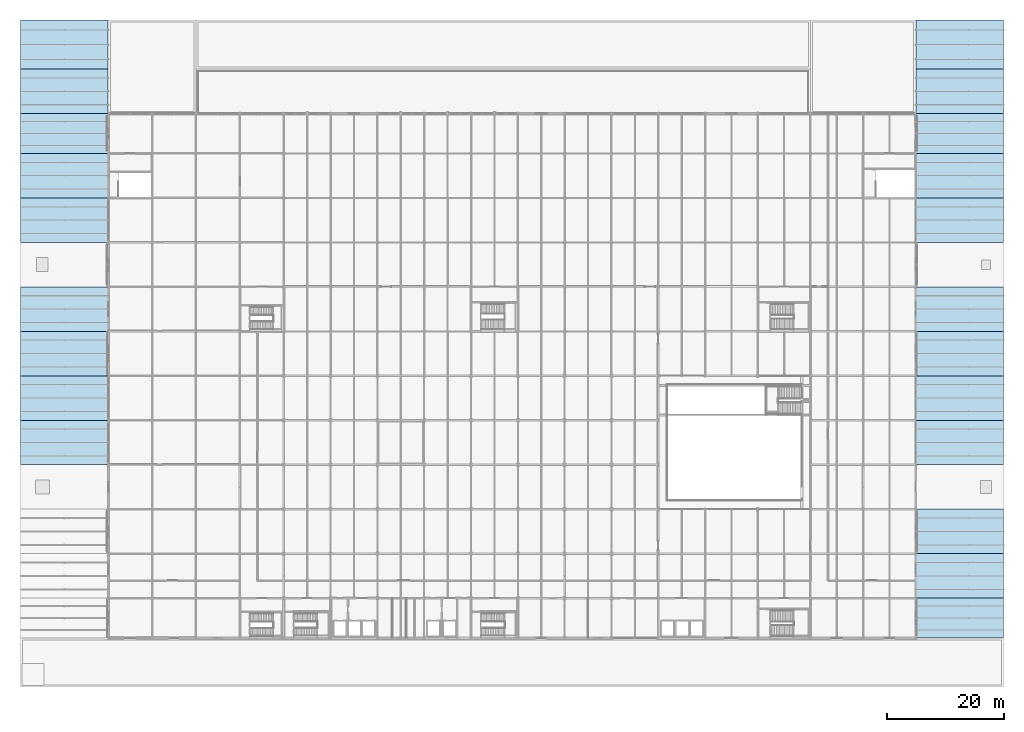
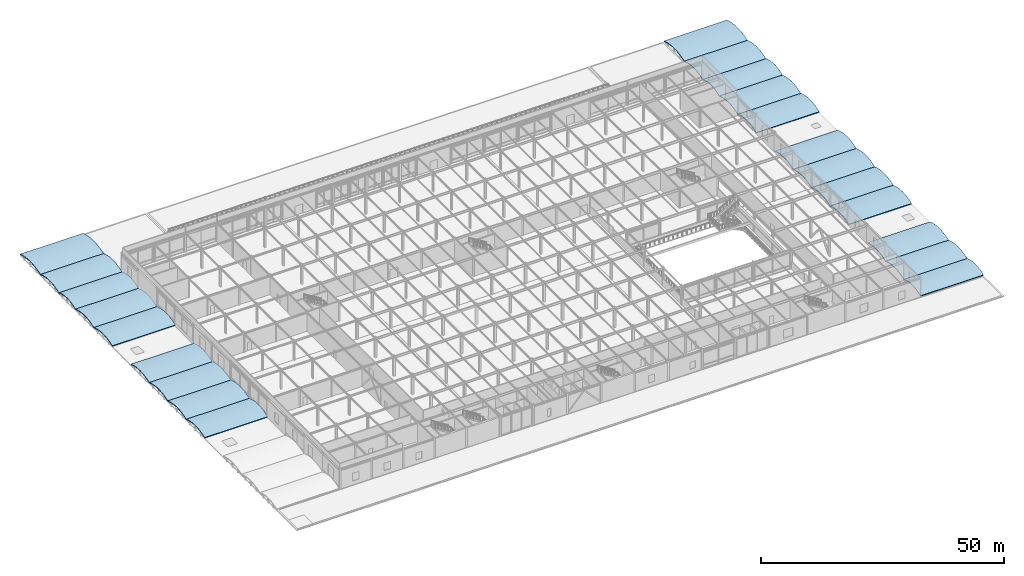
# One storey, part 105 of 113: 21 roofs.
"""IFC4 building model written with IfcOpenShell, lengths in metres."""

from ifc_helpers import new_model, si_unit, direction, frame, origin, place, context, subcontext, project, spatial, polyline, outline, extrude, material, layer, layer_set, type_object, element, save


model = new_model("IFC4")

# Units and contexts
model_context = context("Model", 3, precision=1e-05, world=origin(), true_north=direction((0.0, 1.0)))
body_context = subcontext(model_context, "Body", "Model", "MODEL_VIEW")
ifc_project = project(units=[si_unit("LENGTHUNIT", "METRE"), si_unit("AREAUNIT", "SQUARE_METRE"), si_unit("VOLUMEUNIT", "CUBIC_METRE"), si_unit("PLANEANGLEUNIT", "RADIAN"), si_unit("MASSUNIT", "GRAM", prefix="KILO")], contexts=[model_context])

# Site, building, storey
site_placement = place(None, origin())
site = spatial("IfcSite", under=ifc_project, at=site_placement, CompositionType="ELEMENT")
building_placement = place(site_placement, origin())
building = spatial("IfcBuilding", under=site, at=building_placement, Name="Shalkamar Park Central Library", CompositionType="ELEMENT")
storey_placement = place(building_placement, frame((0.0, 0.0, 5.39990234375)))
storey = spatial("IfcBuildingStorey", under=building, at=storey_placement, Name="L02", CompositionType="ELEMENT", Elevation=5.39990234375)

# Roofs
ifc_material = material(Name="Concrete C35/45", Category="concrete")
ifc_layer = layer(ifc_material, 0.179931640625)
ifc_layer_set = layer_set([ifc_layer], Name="Concrete C35/45")
roof_type = type_object("IfcRoofType", Name="Polychrome Barrel Vault Roof", PredefinedType="BARREL_ROOF", material=ifc_layer_set)
roof_1_placement = place(storey_placement, frame((120.0, 281.800048828125, 0.0), z_axis=(0.0, 0.0, 1.0), x_axis=(1.0, 0.0, 0.0)))
element("IfcRoof", 1, at=roof_1_placement, inside=storey, type_object=roof_type, Name="Barrel Vault Clerestory Roof BV-L01-W4", PredefinedType="BARREL_ROOF", context=body_context, shape_type="SweptSolid", body=[
    extrude(outline(polyline([(-3.800048828125, 0.179931640625), (-3.324951171875, 0.3486328125), (-2.85009765625, 0.494873046875), (-2.375, 0.61865234375), (-1.89990234375, 0.719970703125), (-1.425048828125, 0.798583984375), (-0.949951171875, 0.85498046875), (-0.47509765625, 0.888671875), (0.0, 0.89990234375), (0.47509765625, 0.888671875), (0.949951171875, 0.85498046875), (1.425048828125, 0.798583984375), (1.89990234375, 0.719970703125), (2.375, 0.61865234375), (2.85009765625, 0.494873046875), (3.324951171875, 0.3486328125), (3.800048828125, 0.179931640625), (3.800048828125, 0.0), (3.324951171875, 0.168701171875), (2.85009765625, 0.31494140625), (2.375, 0.438720703125), (1.89990234375, 0.5400390625), (1.425048828125, 0.61865234375), (0.949951171875, 0.675048828125), (0.47509765625, 0.708740234375), (0.0, 0.719970703125), (-0.47509765625, 0.708740234375), (-0.949951171875, 0.675048828125), (-1.425048828125, 0.61865234375), (-1.89990234375, 0.5400390625), (-2.375, 0.438720703125), (-2.85009765625, 0.31494140625), (-3.324951171875, 0.168701171875), (-3.800048828125, 0.0), (-3.800048828125, 0.179931640625)])), frame((0.0, 0.0, 0.0), z_axis=(1.0, 0.0, 0.0), x_axis=(0.0, 1.0, 0.0)), (0.0, 0.0, 1.0), 15.0),
])
roof_2_placement = place(storey_placement, frame((120.0, 289.39990234375, 0.0), z_axis=(0.0, 0.0, 1.0), x_axis=(1.0, 0.0, 0.0)))
element("IfcRoof", 2, at=roof_2_placement, inside=storey, type_object=roof_type, Name="Barrel Vault Clerestory Roof BV-L01-W5", PredefinedType="BARREL_ROOF", context=body_context, shape_type="SweptSolid", body=[
    extrude(outline(polyline([(-3.7998046875, 0.179931640625), (-3.324951171875, 0.3486328125), (-2.849853515625, 0.494873046875), (-2.375, 0.61865234375), (-1.89990234375, 0.719970703125), (-1.425048828125, 0.798583984375), (-0.949951171875, 0.85498046875), (-0.47509765625, 0.888671875), (0.0, 0.89990234375), (0.47509765625, 0.888671875), (0.949951171875, 0.85498046875), (1.425048828125, 0.798583984375), (1.89990234375, 0.719970703125), (2.375, 0.61865234375), (2.849853515625, 0.494873046875), (3.324951171875, 0.3486328125), (3.7998046875, 0.179931640625), (3.7998046875, 0.0), (3.324951171875, 0.168701171875), (2.849853515625, 0.31494140625), (2.375, 0.438720703125), (1.89990234375, 0.5400390625), (1.425048828125, 0.61865234375), (0.949951171875, 0.675048828125), (0.47509765625, 0.708740234375), (0.0, 0.719970703125), (-0.47509765625, 0.708740234375), (-0.949951171875, 0.675048828125), (-1.425048828125, 0.61865234375), (-1.89990234375, 0.5400390625), (-2.375, 0.438720703125), (-2.849853515625, 0.31494140625), (-3.324951171875, 0.168701171875), (-3.7998046875, 0.0), (-3.7998046875, 0.179931640625)])), frame((0.0, 0.0, 0.0), z_axis=(1.0, 0.0, 0.0), x_axis=(0.0, 1.0, 0.0)), (0.0, 0.0, 1.0), 15.0),
])
roof_3_placement = place(storey_placement, frame((120.0, 297.0, 0.0), z_axis=(0.0, 0.0, 1.0), x_axis=(1.0, 0.0, 0.0)))
element("IfcRoof", 3, at=roof_3_placement, inside=storey, type_object=roof_type, Name="Barrel Vault Clerestory Roof BV-L01-W6", PredefinedType="BARREL_ROOF", context=body_context, shape_type="SweptSolid", body=[
    extrude(outline(polyline([(-3.800048828125, 0.179931640625), (-3.324951171875, 0.3486328125), (-2.85009765625, 0.494873046875), (-2.375, 0.61865234375), (-1.89990234375, 0.719970703125), (-1.425048828125, 0.798583984375), (-0.949951171875, 0.85498046875), (-0.47509765625, 0.888671875), (0.0, 0.89990234375), (0.47509765625, 0.888671875), (0.949951171875, 0.85498046875), (1.425048828125, 0.798583984375), (1.89990234375, 0.719970703125), (2.375, 0.61865234375), (2.85009765625, 0.494873046875), (3.324951171875, 0.3486328125), (3.800048828125, 0.179931640625), (3.800048828125, 0.0), (3.324951171875, 0.168701171875), (2.85009765625, 0.31494140625), (2.375, 0.438720703125), (1.89990234375, 0.5400390625), (1.425048828125, 0.61865234375), (0.949951171875, 0.675048828125), (0.47509765625, 0.708740234375), (0.0, 0.719970703125), (-0.47509765625, 0.708740234375), (-0.949951171875, 0.675048828125), (-1.425048828125, 0.61865234375), (-1.89990234375, 0.5400390625), (-2.375, 0.438720703125), (-2.85009765625, 0.31494140625), (-3.324951171875, 0.168701171875), (-3.800048828125, 0.0), (-3.800048828125, 0.179931640625)])), frame((0.0, 0.0, 0.0), z_axis=(1.0, 0.0, 0.0), x_axis=(0.0, 1.0, 0.0)), (0.0, 0.0, 1.0), 15.0),
])
roof_4_placement = place(storey_placement, frame((120.0, 304.60009765625, 0.0), z_axis=(0.0, 0.0, 1.0), x_axis=(1.0, 0.0, 0.0)))
element("IfcRoof", 4, at=roof_4_placement, inside=storey, type_object=roof_type, Name="Barrel Vault Clerestory Roof BV-L01-W7", PredefinedType="BARREL_ROOF", context=body_context, shape_type="SweptSolid", body=[
    extrude(outline(polyline([(-3.7998046875, 0.179931640625), (-3.324951171875, 0.3486328125), (-2.849853515625, 0.494873046875), (-2.375, 0.61865234375), (-1.89990234375, 0.719970703125), (-1.425048828125, 0.798583984375), (-0.949951171875, 0.85498046875), (-0.47509765625, 0.888671875), (0.0, 0.89990234375), (0.47509765625, 0.888671875), (0.949951171875, 0.85498046875), (1.425048828125, 0.798583984375), (1.89990234375, 0.719970703125), (2.375, 0.61865234375), (2.849853515625, 0.494873046875), (3.324951171875, 0.3486328125), (3.7998046875, 0.179931640625), (3.7998046875, 0.0), (3.324951171875, 0.168701171875), (2.849853515625, 0.31494140625), (2.375, 0.438720703125), (1.89990234375, 0.5400390625), (1.425048828125, 0.61865234375), (0.949951171875, 0.675048828125), (0.47509765625, 0.708740234375), (0.0, 0.719970703125), (-0.47509765625, 0.708740234375), (-0.949951171875, 0.675048828125), (-1.425048828125, 0.61865234375), (-1.89990234375, 0.5400390625), (-2.375, 0.438720703125), (-2.849853515625, 0.31494140625), (-3.324951171875, 0.168701171875), (-3.7998046875, 0.0), (-3.7998046875, 0.179931640625)])), frame((0.0, 0.0, 0.0), z_axis=(1.0, 0.0, 0.0), x_axis=(0.0, 1.0, 0.0)), (0.0, 0.0, 1.0), 15.0),
])
roof_5_placement = place(storey_placement, frame((120.0, 319.800048828125, 0.0), z_axis=(0.0, 0.0, 1.0), x_axis=(1.0, 0.0, 0.0)))
element("IfcRoof", 5, at=roof_5_placement, inside=storey, type_object=roof_type, Name="Barrel Vault Clerestory Roof BV-L01-W8", PredefinedType="BARREL_ROOF", context=body_context, shape_type="SweptSolid", body=[
    extrude(outline(polyline([(-3.800048828125, 0.179931640625), (-3.324951171875, 0.3486328125), (-2.85009765625, 0.494873046875), (-2.375, 0.61865234375), (-1.89990234375, 0.719970703125), (-1.425048828125, 0.798583984375), (-0.949951171875, 0.85498046875), (-0.47509765625, 0.888671875), (0.0, 0.89990234375), (0.47509765625, 0.888671875), (0.949951171875, 0.85498046875), (1.425048828125, 0.798583984375), (1.89990234375, 0.719970703125), (2.375, 0.61865234375), (2.85009765625, 0.494873046875), (3.324951171875, 0.3486328125), (3.800048828125, 0.179931640625), (3.800048828125, 0.0), (3.324951171875, 0.168701171875), (2.85009765625, 0.31494140625), (2.375, 0.438720703125), (1.89990234375, 0.5400390625), (1.425048828125, 0.61865234375), (0.949951171875, 0.675048828125), (0.47509765625, 0.708740234375), (0.0, 0.719970703125), (-0.47509765625, 0.708740234375), (-0.949951171875, 0.675048828125), (-1.425048828125, 0.61865234375), (-1.89990234375, 0.5400390625), (-2.375, 0.438720703125), (-2.85009765625, 0.31494140625), (-3.324951171875, 0.168701171875), (-3.800048828125, 0.0), (-3.800048828125, 0.179931640625)])), frame((0.0, 0.0, 0.0), z_axis=(1.0, 0.0, 0.0), x_axis=(0.0, 1.0, 0.0)), (0.0, 0.0, 1.0), 15.0),
])
roof_6_placement = place(storey_placement, frame((120.0, 327.39990234375, 0.0), z_axis=(0.0, 0.0, 1.0), x_axis=(1.0, 0.0, 0.0)))
element("IfcRoof", 6, at=roof_6_placement, inside=storey, type_object=roof_type, Name="Barrel Vault Clerestory Roof BV-L01-W9", PredefinedType="BARREL_ROOF", context=body_context, shape_type="SweptSolid", body=[
    extrude(outline(polyline([(-3.7998046875, 0.179931640625), (-3.324951171875, 0.3486328125), (-2.849853515625, 0.494873046875), (-2.375, 0.61865234375), (-1.89990234375, 0.719970703125), (-1.425048828125, 0.798583984375), (-0.949951171875, 0.85498046875), (-0.47509765625, 0.888671875), (0.0, 0.89990234375), (0.47509765625, 0.888671875), (0.949951171875, 0.85498046875), (1.425048828125, 0.798583984375), (1.89990234375, 0.719970703125), (2.375, 0.61865234375), (2.849853515625, 0.494873046875), (3.324951171875, 0.3486328125), (3.7998046875, 0.179931640625), (3.7998046875, 0.0), (3.324951171875, 0.168701171875), (2.849853515625, 0.31494140625), (2.375, 0.438720703125), (1.89990234375, 0.5400390625), (1.425048828125, 0.61865234375), (0.949951171875, 0.675048828125), (0.47509765625, 0.708740234375), (0.0, 0.719970703125), (-0.47509765625, 0.708740234375), (-0.949951171875, 0.675048828125), (-1.425048828125, 0.61865234375), (-1.89990234375, 0.5400390625), (-2.375, 0.438720703125), (-2.849853515625, 0.31494140625), (-3.324951171875, 0.168701171875), (-3.7998046875, 0.0), (-3.7998046875, 0.179931640625)])), frame((0.0, 0.0, 0.0), z_axis=(1.0, 0.0, 0.0), x_axis=(0.0, 1.0, 0.0)), (0.0, 0.0, 1.0), 15.0),
])
roof_7_placement = place(storey_placement, frame((120.0, 334.60009765625, 0.0), z_axis=(0.0, 0.0, 1.0), x_axis=(1.0, 0.0, 0.0)))
element("IfcRoof", 7, at=roof_7_placement, inside=storey, type_object=roof_type, Name="Barrel Vault Clerestory Roof BV-L01-W10", PredefinedType="BARREL_ROOF", context=body_context, shape_type="SweptSolid", body=[
    extrude(outline(polyline([(-3.39990234375, 0.179931640625), (-2.97509765625, 0.3486328125), (-2.550048828125, 0.494873046875), (-2.125, 0.61865234375), (-1.699951171875, 0.719970703125), (-1.27490234375, 0.798583984375), (-0.85009765625, 0.85498046875), (-0.425048828125, 0.888671875), (0.0, 0.89990234375), (0.425048828125, 0.888671875), (0.85009765625, 0.85498046875), (1.27490234375, 0.798583984375), (1.699951171875, 0.719970703125), (2.125, 0.61865234375), (2.550048828125, 0.494873046875), (2.97509765625, 0.3486328125), (3.39990234375, 0.179931640625), (3.39990234375, 0.0), (2.97509765625, 0.168701171875), (2.550048828125, 0.31494140625), (2.125, 0.438720703125), (1.699951171875, 0.5400390625), (1.27490234375, 0.61865234375), (0.85009765625, 0.675048828125), (0.425048828125, 0.708740234375), (0.0, 0.719970703125), (-0.425048828125, 0.708740234375), (-0.85009765625, 0.675048828125), (-1.27490234375, 0.61865234375), (-1.699951171875, 0.5400390625), (-2.125, 0.438720703125), (-2.550048828125, 0.31494140625), (-2.97509765625, 0.168701171875), (-3.39990234375, 0.0), (-3.39990234375, 0.179931640625)])), frame((0.0, 0.0, 0.0), z_axis=(1.0, 0.0, 0.0), x_axis=(0.0, 1.0, 0.0)), (0.0, 0.0, 1.0), 15.0),
])
roof_8_placement = place(storey_placement, frame((120.0, 341.800048828125, 0.0), z_axis=(0.0, 0.0, 1.0), x_axis=(1.0, 0.0, 0.0)))
element("IfcRoof", 8, at=roof_8_placement, inside=storey, type_object=roof_type, Name="Barrel Vault Clerestory Roof BV-L01-W11", PredefinedType="BARREL_ROOF", context=body_context, shape_type="SweptSolid", body=[
    extrude(outline(polyline([(-3.800048828125, 0.179931640625), (-3.324951171875, 0.3486328125), (-2.85009765625, 0.494873046875), (-2.375, 0.61865234375), (-1.89990234375, 0.719970703125), (-1.425048828125, 0.798583984375), (-0.949951171875, 0.85498046875), (-0.47509765625, 0.888671875), (0.0, 0.89990234375), (0.47509765625, 0.888671875), (0.949951171875, 0.85498046875), (1.425048828125, 0.798583984375), (1.89990234375, 0.719970703125), (2.375, 0.61865234375), (2.85009765625, 0.494873046875), (3.324951171875, 0.3486328125), (3.800048828125, 0.179931640625), (3.800048828125, 0.0), (3.324951171875, 0.168701171875), (2.85009765625, 0.31494140625), (2.375, 0.438720703125), (1.89990234375, 0.5400390625), (1.425048828125, 0.61865234375), (0.949951171875, 0.675048828125), (0.47509765625, 0.708740234375), (0.0, 0.719970703125), (-0.47509765625, 0.708740234375), (-0.949951171875, 0.675048828125), (-1.425048828125, 0.61865234375), (-1.89990234375, 0.5400390625), (-2.375, 0.438720703125), (-2.85009765625, 0.31494140625), (-3.324951171875, 0.168701171875), (-3.800048828125, 0.0), (-3.800048828125, 0.179931640625)])), frame((0.0, 0.0, 0.0), z_axis=(1.0, 0.0, 0.0), x_axis=(0.0, 1.0, 0.0)), (0.0, 0.0, 1.0), 15.0),
])
roof_9_placement = place(storey_placement, frame((120.0, 349.800048828125, 0.0), z_axis=(0.0, 0.0, 1.0), x_axis=(1.0, 0.0, 0.0)))
element("IfcRoof", 9, at=roof_9_placement, inside=storey, type_object=roof_type, Name="Barrel Vault Clerestory Roof BV-L01-W12", PredefinedType="BARREL_ROOF", context=body_context, shape_type="SweptSolid", body=[
    extrude(outline(polyline([(-4.199951171875, 0.179931640625), (-3.675048828125, 0.3486328125), (-3.14990234375, 0.494873046875), (-2.625, 0.61865234375), (-2.10009765625, 0.719970703125), (-1.574951171875, 0.798583984375), (-1.050048828125, 0.85498046875), (-0.52490234375, 0.888671875), (0.0, 0.89990234375), (0.52490234375, 0.888671875), (1.050048828125, 0.85498046875), (1.574951171875, 0.798583984375), (2.10009765625, 0.719970703125), (2.625, 0.61865234375), (3.14990234375, 0.494873046875), (3.675048828125, 0.3486328125), (4.199951171875, 0.179931640625), (4.199951171875, 0.0), (3.675048828125, 0.168701171875), (3.14990234375, 0.31494140625), (2.625, 0.438720703125), (2.10009765625, 0.5400390625), (1.574951171875, 0.61865234375), (1.050048828125, 0.675048828125), (0.52490234375, 0.708740234375), (0.0, 0.719970703125), (-0.52490234375, 0.708740234375), (-1.050048828125, 0.675048828125), (-1.574951171875, 0.61865234375), (-2.10009765625, 0.5400390625), (-2.625, 0.438720703125), (-3.14990234375, 0.31494140625), (-3.675048828125, 0.168701171875), (-4.199951171875, 0.0), (-4.199951171875, 0.179931640625)])), frame((0.0, 0.0, 0.0), z_axis=(1.0, 0.0, 0.0), x_axis=(0.0, 1.0, 0.0)), (0.0, 0.0, 1.0), 15.0),
])
roof_10_placement = place(storey_placement, frame((273.0, 251.7998046875, 0.0), z_axis=(0.0, 0.0, 1.0), x_axis=(1.0, 0.0, 0.0)))
element("IfcRoof", 10, at=roof_10_placement, inside=storey, type_object=roof_type, Name="Barrel Vault Clerestory Roof BV-L01-E1", PredefinedType="BARREL_ROOF", context=body_context, shape_type="SweptSolid", body=[
    extrude(outline(polyline([(-3.39990234375, 0.179931640625), (-2.97509765625, 0.3486328125), (-2.550048828125, 0.494873046875), (-2.125, 0.61865234375), (-1.699951171875, 0.719970703125), (-1.27490234375, 0.798583984375), (-0.85009765625, 0.85498046875), (-0.425048828125, 0.888671875), (0.0, 0.89990234375), (0.425048828125, 0.888671875), (0.85009765625, 0.85498046875), (1.27490234375, 0.798583984375), (1.699951171875, 0.719970703125), (2.125, 0.61865234375), (2.550048828125, 0.494873046875), (2.97509765625, 0.3486328125), (3.39990234375, 0.179931640625), (3.39990234375, 0.0), (2.97509765625, 0.168701171875), (2.550048828125, 0.31494140625), (2.125, 0.438720703125), (1.699951171875, 0.5400390625), (1.27490234375, 0.61865234375), (0.85009765625, 0.675048828125), (0.425048828125, 0.708740234375), (0.0, 0.719970703125), (-0.425048828125, 0.708740234375), (-0.85009765625, 0.675048828125), (-1.27490234375, 0.61865234375), (-1.699951171875, 0.5400390625), (-2.125, 0.438720703125), (-2.550048828125, 0.31494140625), (-2.97509765625, 0.168701171875), (-3.39990234375, 0.0), (-3.39990234375, 0.179931640625)])), frame((0.0, 0.0, 0.0), z_axis=(1.0, 0.0, 0.0), x_axis=(0.0, 1.0, 0.0)), (0.0, 0.0, 1.0), 15.0),
])
roof_11_placement = place(storey_placement, frame((273.0, 259.0, 0.0), z_axis=(0.0, 0.0, 1.0), x_axis=(1.0, 0.0, 0.0)))
element("IfcRoof", 11, at=roof_11_placement, inside=storey, type_object=roof_type, Name="Barrel Vault Clerestory Roof BV-L01-E2", PredefinedType="BARREL_ROOF", context=body_context, shape_type="SweptSolid", body=[
    extrude(outline(polyline([(-3.800048828125, 0.179931640625), (-3.324951171875, 0.3486328125), (-2.85009765625, 0.494873046875), (-2.375, 0.61865234375), (-1.89990234375, 0.719970703125), (-1.425048828125, 0.798583984375), (-0.949951171875, 0.85498046875), (-0.47509765625, 0.888671875), (0.0, 0.89990234375), (0.47509765625, 0.888671875), (0.949951171875, 0.85498046875), (1.425048828125, 0.798583984375), (1.89990234375, 0.719970703125), (2.375, 0.61865234375), (2.85009765625, 0.494873046875), (3.324951171875, 0.3486328125), (3.800048828125, 0.179931640625), (3.800048828125, 0.0), (3.324951171875, 0.168701171875), (2.85009765625, 0.31494140625), (2.375, 0.438720703125), (1.89990234375, 0.5400390625), (1.425048828125, 0.61865234375), (0.949951171875, 0.675048828125), (0.47509765625, 0.708740234375), (0.0, 0.719970703125), (-0.47509765625, 0.708740234375), (-0.949951171875, 0.675048828125), (-1.425048828125, 0.61865234375), (-1.89990234375, 0.5400390625), (-2.375, 0.438720703125), (-2.85009765625, 0.31494140625), (-3.324951171875, 0.168701171875), (-3.800048828125, 0.0), (-3.800048828125, 0.179931640625)])), frame((0.0, 0.0, 0.0), z_axis=(1.0, 0.0, 0.0), x_axis=(0.0, 1.0, 0.0)), (0.0, 0.0, 1.0), 15.0),
])
roof_12_placement = place(storey_placement, frame((273.0, 266.60009765625, 0.0), z_axis=(0.0, 0.0, 1.0), x_axis=(1.0, 0.0, 0.0)))
element("IfcRoof", 12, at=roof_12_placement, inside=storey, type_object=roof_type, Name="Barrel Vault Clerestory Roof BV-L01-E3", PredefinedType="BARREL_ROOF", context=body_context, shape_type="SweptSolid", body=[
    extrude(outline(polyline([(-3.7998046875, 0.179931640625), (-3.324951171875, 0.3486328125), (-2.849853515625, 0.494873046875), (-2.375, 0.61865234375), (-1.89990234375, 0.719970703125), (-1.425048828125, 0.798583984375), (-0.949951171875, 0.85498046875), (-0.47509765625, 0.888671875), (0.0, 0.89990234375), (0.47509765625, 0.888671875), (0.949951171875, 0.85498046875), (1.425048828125, 0.798583984375), (1.89990234375, 0.719970703125), (2.375, 0.61865234375), (2.849853515625, 0.494873046875), (3.324951171875, 0.3486328125), (3.7998046875, 0.179931640625), (3.7998046875, 0.0), (3.324951171875, 0.168701171875), (2.849853515625, 0.31494140625), (2.375, 0.438720703125), (1.89990234375, 0.5400390625), (1.425048828125, 0.61865234375), (0.949951171875, 0.675048828125), (0.47509765625, 0.708740234375), (0.0, 0.719970703125), (-0.47509765625, 0.708740234375), (-0.949951171875, 0.675048828125), (-1.425048828125, 0.61865234375), (-1.89990234375, 0.5400390625), (-2.375, 0.438720703125), (-2.849853515625, 0.31494140625), (-3.324951171875, 0.168701171875), (-3.7998046875, 0.0), (-3.7998046875, 0.179931640625)])), frame((0.0, 0.0, 0.0), z_axis=(1.0, 0.0, 0.0), x_axis=(0.0, 1.0, 0.0)), (0.0, 0.0, 1.0), 15.0),
])
roof_13_placement = place(storey_placement, frame((273.0, 281.800048828125, 0.0), z_axis=(0.0, 0.0, 1.0), x_axis=(1.0, 0.0, 0.0)))
element("IfcRoof", 13, at=roof_13_placement, inside=storey, type_object=roof_type, Name="Barrel Vault Clerestory Roof BV-L01-E4", PredefinedType="BARREL_ROOF", context=body_context, shape_type="SweptSolid", body=[
    extrude(outline(polyline([(-3.800048828125, 0.179931640625), (-3.324951171875, 0.3486328125), (-2.85009765625, 0.494873046875), (-2.375, 0.61865234375), (-1.89990234375, 0.719970703125), (-1.425048828125, 0.798583984375), (-0.949951171875, 0.85498046875), (-0.47509765625, 0.888671875), (0.0, 0.89990234375), (0.47509765625, 0.888671875), (0.949951171875, 0.85498046875), (1.425048828125, 0.798583984375), (1.89990234375, 0.719970703125), (2.375, 0.61865234375), (2.85009765625, 0.494873046875), (3.324951171875, 0.3486328125), (3.800048828125, 0.179931640625), (3.800048828125, 0.0), (3.324951171875, 0.168701171875), (2.85009765625, 0.31494140625), (2.375, 0.438720703125), (1.89990234375, 0.5400390625), (1.425048828125, 0.61865234375), (0.949951171875, 0.675048828125), (0.47509765625, 0.708740234375), (0.0, 0.719970703125), (-0.47509765625, 0.708740234375), (-0.949951171875, 0.675048828125), (-1.425048828125, 0.61865234375), (-1.89990234375, 0.5400390625), (-2.375, 0.438720703125), (-2.85009765625, 0.31494140625), (-3.324951171875, 0.168701171875), (-3.800048828125, 0.0), (-3.800048828125, 0.179931640625)])), frame((0.0, 0.0, 0.0), z_axis=(1.0, 0.0, 0.0), x_axis=(0.0, 1.0, 0.0)), (0.0, 0.0, 1.0), 15.0),
])
roof_14_placement = place(storey_placement, frame((273.0, 289.39990234375, 0.0), z_axis=(0.0, 0.0, 1.0), x_axis=(1.0, 0.0, 0.0)))
element("IfcRoof", 14, at=roof_14_placement, inside=storey, type_object=roof_type, Name="Barrel Vault Clerestory Roof BV-L01-E5", PredefinedType="BARREL_ROOF", context=body_context, shape_type="SweptSolid", body=[
    extrude(outline(polyline([(-3.7998046875, 0.179931640625), (-3.324951171875, 0.3486328125), (-2.849853515625, 0.494873046875), (-2.375, 0.61865234375), (-1.89990234375, 0.719970703125), (-1.425048828125, 0.798583984375), (-0.949951171875, 0.85498046875), (-0.47509765625, 0.888671875), (0.0, 0.89990234375), (0.47509765625, 0.888671875), (0.949951171875, 0.85498046875), (1.425048828125, 0.798583984375), (1.89990234375, 0.719970703125), (2.375, 0.61865234375), (2.849853515625, 0.494873046875), (3.324951171875, 0.3486328125), (3.7998046875, 0.179931640625), (3.7998046875, 0.0), (3.324951171875, 0.168701171875), (2.849853515625, 0.31494140625), (2.375, 0.438720703125), (1.89990234375, 0.5400390625), (1.425048828125, 0.61865234375), (0.949951171875, 0.675048828125), (0.47509765625, 0.708740234375), (0.0, 0.719970703125), (-0.47509765625, 0.708740234375), (-0.949951171875, 0.675048828125), (-1.425048828125, 0.61865234375), (-1.89990234375, 0.5400390625), (-2.375, 0.438720703125), (-2.849853515625, 0.31494140625), (-3.324951171875, 0.168701171875), (-3.7998046875, 0.0), (-3.7998046875, 0.179931640625)])), frame((0.0, 0.0, 0.0), z_axis=(1.0, 0.0, 0.0), x_axis=(0.0, 1.0, 0.0)), (0.0, 0.0, 1.0), 15.0),
])
roof_15_placement = place(storey_placement, frame((273.0, 297.0, 0.0), z_axis=(0.0, 0.0, 1.0), x_axis=(1.0, 0.0, 0.0)))
element("IfcRoof", 15, at=roof_15_placement, inside=storey, type_object=roof_type, Name="Barrel Vault Clerestory Roof BV-L01-E6", PredefinedType="BARREL_ROOF", context=body_context, shape_type="SweptSolid", body=[
    extrude(outline(polyline([(-3.800048828125, 0.179931640625), (-3.324951171875, 0.3486328125), (-2.85009765625, 0.494873046875), (-2.375, 0.61865234375), (-1.89990234375, 0.719970703125), (-1.425048828125, 0.798583984375), (-0.949951171875, 0.85498046875), (-0.47509765625, 0.888671875), (0.0, 0.89990234375), (0.47509765625, 0.888671875), (0.949951171875, 0.85498046875), (1.425048828125, 0.798583984375), (1.89990234375, 0.719970703125), (2.375, 0.61865234375), (2.85009765625, 0.494873046875), (3.324951171875, 0.3486328125), (3.800048828125, 0.179931640625), (3.800048828125, 0.0), (3.324951171875, 0.168701171875), (2.85009765625, 0.31494140625), (2.375, 0.438720703125), (1.89990234375, 0.5400390625), (1.425048828125, 0.61865234375), (0.949951171875, 0.675048828125), (0.47509765625, 0.708740234375), (0.0, 0.719970703125), (-0.47509765625, 0.708740234375), (-0.949951171875, 0.675048828125), (-1.425048828125, 0.61865234375), (-1.89990234375, 0.5400390625), (-2.375, 0.438720703125), (-2.85009765625, 0.31494140625), (-3.324951171875, 0.168701171875), (-3.800048828125, 0.0), (-3.800048828125, 0.179931640625)])), frame((0.0, 0.0, 0.0), z_axis=(1.0, 0.0, 0.0), x_axis=(0.0, 1.0, 0.0)), (0.0, 0.0, 1.0), 15.0),
])
roof_16_placement = place(storey_placement, frame((273.0, 304.60009765625, 0.0), z_axis=(0.0, 0.0, 1.0), x_axis=(1.0, 0.0, 0.0)))
element("IfcRoof", 16, at=roof_16_placement, inside=storey, type_object=roof_type, Name="Barrel Vault Clerestory Roof BV-L01-E7", PredefinedType="BARREL_ROOF", context=body_context, shape_type="SweptSolid", body=[
    extrude(outline(polyline([(-3.7998046875, 0.179931640625), (-3.324951171875, 0.3486328125), (-2.849853515625, 0.494873046875), (-2.375, 0.61865234375), (-1.89990234375, 0.719970703125), (-1.425048828125, 0.798583984375), (-0.949951171875, 0.85498046875), (-0.47509765625, 0.888671875), (0.0, 0.89990234375), (0.47509765625, 0.888671875), (0.949951171875, 0.85498046875), (1.425048828125, 0.798583984375), (1.89990234375, 0.719970703125), (2.375, 0.61865234375), (2.849853515625, 0.494873046875), (3.324951171875, 0.3486328125), (3.7998046875, 0.179931640625), (3.7998046875, 0.0), (3.324951171875, 0.168701171875), (2.849853515625, 0.31494140625), (2.375, 0.438720703125), (1.89990234375, 0.5400390625), (1.425048828125, 0.61865234375), (0.949951171875, 0.675048828125), (0.47509765625, 0.708740234375), (0.0, 0.719970703125), (-0.47509765625, 0.708740234375), (-0.949951171875, 0.675048828125), (-1.425048828125, 0.61865234375), (-1.89990234375, 0.5400390625), (-2.375, 0.438720703125), (-2.849853515625, 0.31494140625), (-3.324951171875, 0.168701171875), (-3.7998046875, 0.0), (-3.7998046875, 0.179931640625)])), frame((0.0, 0.0, 0.0), z_axis=(1.0, 0.0, 0.0), x_axis=(0.0, 1.0, 0.0)), (0.0, 0.0, 1.0), 15.0),
])
roof_17_placement = place(storey_placement, frame((273.0, 319.800048828125, 0.0), z_axis=(0.0, 0.0, 1.0), x_axis=(1.0, 0.0, 0.0)))
element("IfcRoof", 17, at=roof_17_placement, inside=storey, type_object=roof_type, Name="Barrel Vault Clerestory Roof BV-L01-E8", PredefinedType="BARREL_ROOF", context=body_context, shape_type="SweptSolid", body=[
    extrude(outline(polyline([(-3.800048828125, 0.179931640625), (-3.324951171875, 0.3486328125), (-2.85009765625, 0.494873046875), (-2.375, 0.61865234375), (-1.89990234375, 0.719970703125), (-1.425048828125, 0.798583984375), (-0.949951171875, 0.85498046875), (-0.47509765625, 0.888671875), (0.0, 0.89990234375), (0.47509765625, 0.888671875), (0.949951171875, 0.85498046875), (1.425048828125, 0.798583984375), (1.89990234375, 0.719970703125), (2.375, 0.61865234375), (2.85009765625, 0.494873046875), (3.324951171875, 0.3486328125), (3.800048828125, 0.179931640625), (3.800048828125, 0.0), (3.324951171875, 0.168701171875), (2.85009765625, 0.31494140625), (2.375, 0.438720703125), (1.89990234375, 0.5400390625), (1.425048828125, 0.61865234375), (0.949951171875, 0.675048828125), (0.47509765625, 0.708740234375), (0.0, 0.719970703125), (-0.47509765625, 0.708740234375), (-0.949951171875, 0.675048828125), (-1.425048828125, 0.61865234375), (-1.89990234375, 0.5400390625), (-2.375, 0.438720703125), (-2.85009765625, 0.31494140625), (-3.324951171875, 0.168701171875), (-3.800048828125, 0.0), (-3.800048828125, 0.179931640625)])), frame((0.0, 0.0, 0.0), z_axis=(1.0, 0.0, 0.0), x_axis=(0.0, 1.0, 0.0)), (0.0, 0.0, 1.0), 15.0),
])
roof_18_placement = place(storey_placement, frame((273.0, 327.39990234375, 0.0), z_axis=(0.0, 0.0, 1.0), x_axis=(1.0, 0.0, 0.0)))
element("IfcRoof", 18, at=roof_18_placement, inside=storey, type_object=roof_type, Name="Barrel Vault Clerestory Roof BV-L01-E9", PredefinedType="BARREL_ROOF", context=body_context, shape_type="SweptSolid", body=[
    extrude(outline(polyline([(-3.7998046875, 0.179931640625), (-3.324951171875, 0.3486328125), (-2.849853515625, 0.494873046875), (-2.375, 0.61865234375), (-1.89990234375, 0.719970703125), (-1.425048828125, 0.798583984375), (-0.949951171875, 0.85498046875), (-0.47509765625, 0.888671875), (0.0, 0.89990234375), (0.47509765625, 0.888671875), (0.949951171875, 0.85498046875), (1.425048828125, 0.798583984375), (1.89990234375, 0.719970703125), (2.375, 0.61865234375), (2.849853515625, 0.494873046875), (3.324951171875, 0.3486328125), (3.7998046875, 0.179931640625), (3.7998046875, 0.0), (3.324951171875, 0.168701171875), (2.849853515625, 0.31494140625), (2.375, 0.438720703125), (1.89990234375, 0.5400390625), (1.425048828125, 0.61865234375), (0.949951171875, 0.675048828125), (0.47509765625, 0.708740234375), (0.0, 0.719970703125), (-0.47509765625, 0.708740234375), (-0.949951171875, 0.675048828125), (-1.425048828125, 0.61865234375), (-1.89990234375, 0.5400390625), (-2.375, 0.438720703125), (-2.849853515625, 0.31494140625), (-3.324951171875, 0.168701171875), (-3.7998046875, 0.0), (-3.7998046875, 0.179931640625)])), frame((0.0, 0.0, 0.0), z_axis=(1.0, 0.0, 0.0), x_axis=(0.0, 1.0, 0.0)), (0.0, 0.0, 1.0), 15.0),
])
roof_19_placement = place(storey_placement, frame((273.0, 334.60009765625, 0.0), z_axis=(0.0, 0.0, 1.0), x_axis=(1.0, 0.0, 0.0)))
element("IfcRoof", 19, at=roof_19_placement, inside=storey, type_object=roof_type, Name="Barrel Vault Clerestory Roof BV-L01-E10", PredefinedType="BARREL_ROOF", context=body_context, shape_type="SweptSolid", body=[
    extrude(outline(polyline([(-3.39990234375, 0.179931640625), (-2.97509765625, 0.3486328125), (-2.550048828125, 0.494873046875), (-2.125, 0.61865234375), (-1.699951171875, 0.719970703125), (-1.27490234375, 0.798583984375), (-0.85009765625, 0.85498046875), (-0.425048828125, 0.888671875), (0.0, 0.89990234375), (0.425048828125, 0.888671875), (0.85009765625, 0.85498046875), (1.27490234375, 0.798583984375), (1.699951171875, 0.719970703125), (2.125, 0.61865234375), (2.550048828125, 0.494873046875), (2.97509765625, 0.3486328125), (3.39990234375, 0.179931640625), (3.39990234375, 0.0), (2.97509765625, 0.168701171875), (2.550048828125, 0.31494140625), (2.125, 0.438720703125), (1.699951171875, 0.5400390625), (1.27490234375, 0.61865234375), (0.85009765625, 0.675048828125), (0.425048828125, 0.708740234375), (0.0, 0.719970703125), (-0.425048828125, 0.708740234375), (-0.85009765625, 0.675048828125), (-1.27490234375, 0.61865234375), (-1.699951171875, 0.5400390625), (-2.125, 0.438720703125), (-2.550048828125, 0.31494140625), (-2.97509765625, 0.168701171875), (-3.39990234375, 0.0), (-3.39990234375, 0.179931640625)])), frame((0.0, 0.0, 0.0), z_axis=(1.0, 0.0, 0.0), x_axis=(0.0, 1.0, 0.0)), (0.0, 0.0, 1.0), 15.0),
])
roof_20_placement = place(storey_placement, frame((273.0, 341.800048828125, 0.0), z_axis=(0.0, 0.0, 1.0), x_axis=(1.0, 0.0, 0.0)))
element("IfcRoof", 20, at=roof_20_placement, inside=storey, type_object=roof_type, Name="Barrel Vault Clerestory Roof BV-L01-E11", PredefinedType="BARREL_ROOF", context=body_context, shape_type="SweptSolid", body=[
    extrude(outline(polyline([(-3.800048828125, 0.179931640625), (-3.324951171875, 0.3486328125), (-2.85009765625, 0.494873046875), (-2.375, 0.61865234375), (-1.89990234375, 0.719970703125), (-1.425048828125, 0.798583984375), (-0.949951171875, 0.85498046875), (-0.47509765625, 0.888671875), (0.0, 0.89990234375), (0.47509765625, 0.888671875), (0.949951171875, 0.85498046875), (1.425048828125, 0.798583984375), (1.89990234375, 0.719970703125), (2.375, 0.61865234375), (2.85009765625, 0.494873046875), (3.324951171875, 0.3486328125), (3.800048828125, 0.179931640625), (3.800048828125, 0.0), (3.324951171875, 0.168701171875), (2.85009765625, 0.31494140625), (2.375, 0.438720703125), (1.89990234375, 0.5400390625), (1.425048828125, 0.61865234375), (0.949951171875, 0.675048828125), (0.47509765625, 0.708740234375), (0.0, 0.719970703125), (-0.47509765625, 0.708740234375), (-0.949951171875, 0.675048828125), (-1.425048828125, 0.61865234375), (-1.89990234375, 0.5400390625), (-2.375, 0.438720703125), (-2.85009765625, 0.31494140625), (-3.324951171875, 0.168701171875), (-3.800048828125, 0.0), (-3.800048828125, 0.179931640625)])), frame((0.0, 0.0, 0.0), z_axis=(1.0, 0.0, 0.0), x_axis=(0.0, 1.0, 0.0)), (0.0, 0.0, 1.0), 15.0),
])
roof_21_placement = place(storey_placement, frame((273.0, 349.800048828125, 0.0), z_axis=(0.0, 0.0, 1.0), x_axis=(1.0, 0.0, 0.0)))
element("IfcRoof", 21, at=roof_21_placement, inside=storey, type_object=roof_type, Name="Barrel Vault Clerestory Roof BV-L01-E12", PredefinedType="BARREL_ROOF", context=body_context, shape_type="SweptSolid", body=[
    extrude(outline(polyline([(-4.199951171875, 0.179931640625), (-3.675048828125, 0.3486328125), (-3.14990234375, 0.494873046875), (-2.625, 0.61865234375), (-2.10009765625, 0.719970703125), (-1.574951171875, 0.798583984375), (-1.050048828125, 0.85498046875), (-0.52490234375, 0.888671875), (0.0, 0.89990234375), (0.52490234375, 0.888671875), (1.050048828125, 0.85498046875), (1.574951171875, 0.798583984375), (2.10009765625, 0.719970703125), (2.625, 0.61865234375), (3.14990234375, 0.494873046875), (3.675048828125, 0.3486328125), (4.199951171875, 0.179931640625), (4.199951171875, 0.0), (3.675048828125, 0.168701171875), (3.14990234375, 0.31494140625), (2.625, 0.438720703125), (2.10009765625, 0.5400390625), (1.574951171875, 0.61865234375), (1.050048828125, 0.675048828125), (0.52490234375, 0.708740234375), (0.0, 0.719970703125), (-0.52490234375, 0.708740234375), (-1.050048828125, 0.675048828125), (-1.574951171875, 0.61865234375), (-2.10009765625, 0.5400390625), (-2.625, 0.438720703125), (-3.14990234375, 0.31494140625), (-3.675048828125, 0.168701171875), (-4.199951171875, 0.0), (-4.199951171875, 0.179931640625)])), frame((0.0, 0.0, 0.0), z_axis=(1.0, 0.0, 0.0), x_axis=(0.0, 1.0, 0.0)), (0.0, 0.0, 1.0), 15.0),
])

save(model, "model.ifc")
